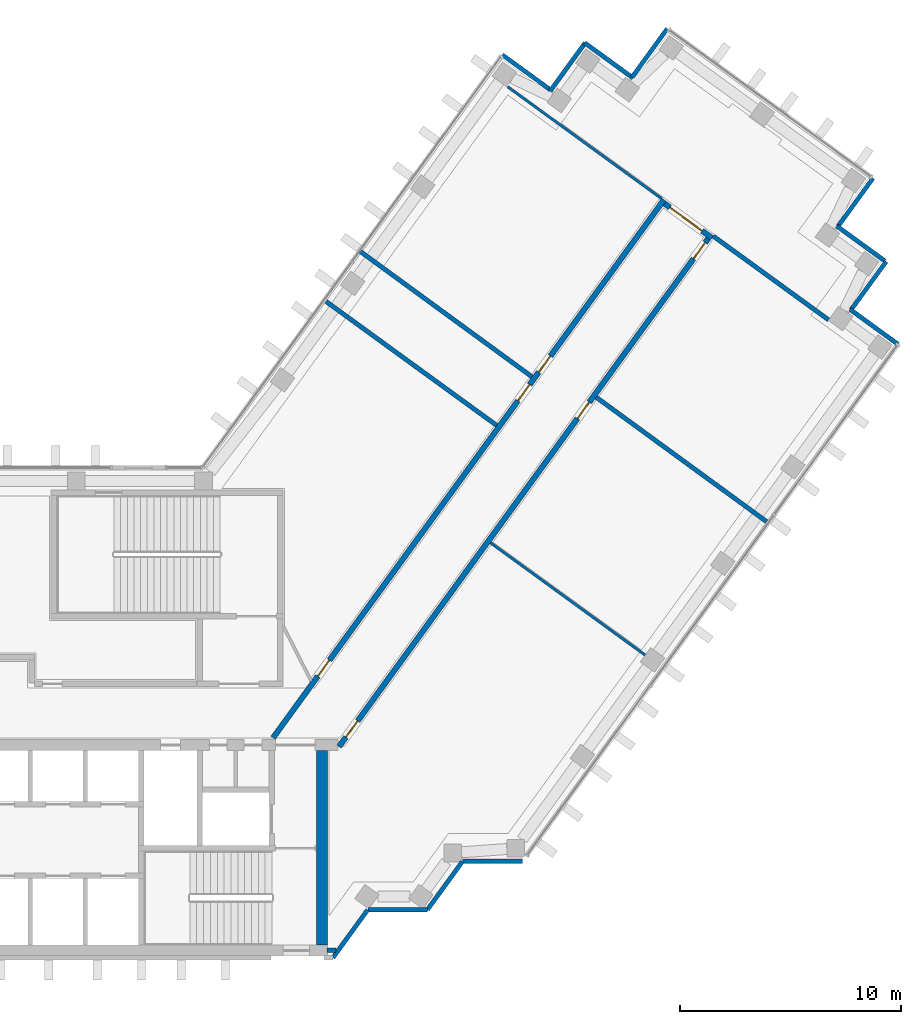
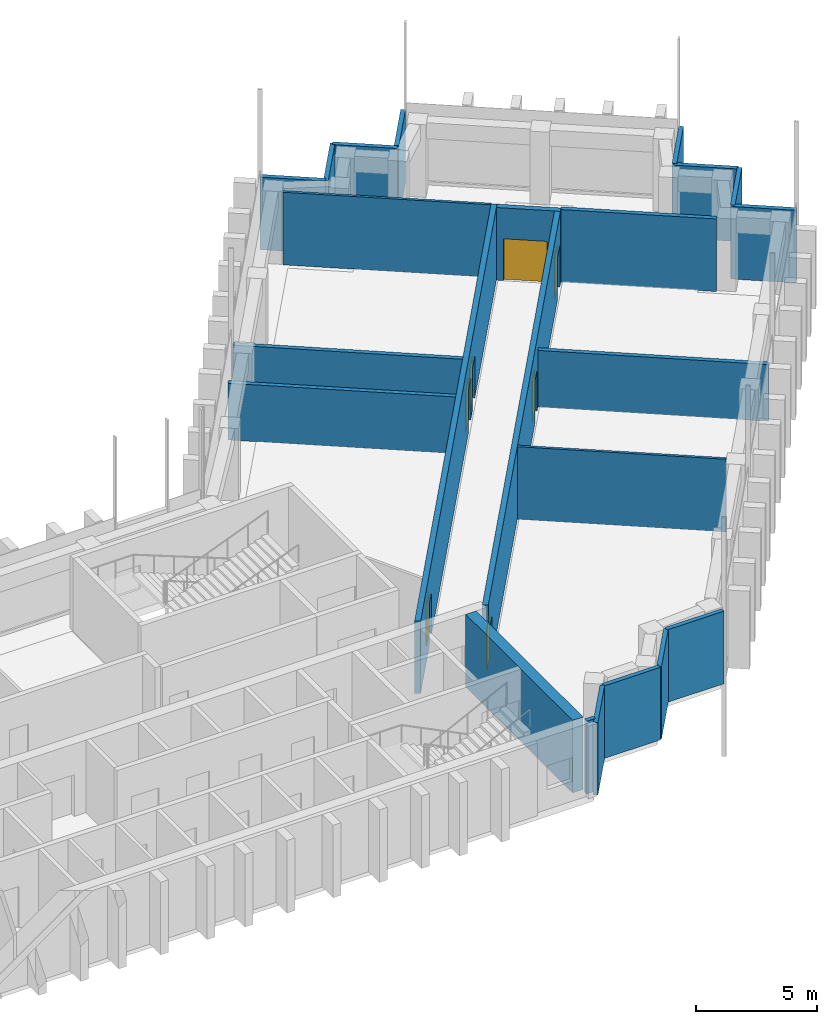
# One storey, part 10 of 13: 23 walls, 7 doors, 7 openings.
"""IFC4 building model written with IfcOpenShell, lengths in metres."""

from ifc_helpers import new_model, si_unit, direction, frame, frame_2d, origin, place, context, subcontext, project, spatial, rectangle, extrude, material, layer, layer_set, type_object, element, fill, save


model = new_model("IFC4")

# Units and contexts
model_context = context("Model", 3, precision=1e-05, world=origin(), true_north=direction((0.0, 1.0)))
body_context = subcontext(model_context, "Body", "Model", "MODEL_VIEW")
ifc_project = project(units=[si_unit("LENGTHUNIT", "METRE"), si_unit("AREAUNIT", "SQUARE_METRE"), si_unit("VOLUMEUNIT", "CUBIC_METRE"), si_unit("PLANEANGLEUNIT", "RADIAN"), si_unit("MASSUNIT", "GRAM", prefix="KILO")], contexts=[model_context])

# Site, building, storey
site_placement = place(None, origin())
site = spatial("IfcSite", under=ifc_project, at=site_placement, CompositionType="ELEMENT")
building_placement = place(site_placement, origin())
building = spatial("IfcBuilding", under=site, at=building_placement, Name="Quipu Civic Tower", CompositionType="ELEMENT")
storey_placement = place(building_placement, frame((0.0, 0.0, 148.0)))
storey = spatial("IfcBuildingStorey", under=building, at=storey_placement, Name="L34", CompositionType="ELEMENT", Elevation=148.0)

# Walls
ifc_material_1 = material(Name="Fired clay blockwork", Category="masonry")
ifc_layer_1 = layer(ifc_material_1, 0.199951171875)
ifc_layer_set_1 = layer_set([ifc_layer_1], Name="Fired clay blockwork")
wall_type_1 = type_object("IfcWallType", Name="Blockwork wall 200", PredefinedType="SOLIDWALL", material=ifc_layer_set_1)
wall_1_placement = place(storey_placement, frame((27.664306640625, 13.015869140625, 0.0), z_axis=(0.0, 0.0, 1.0), x_axis=(-0.80900684162, 0.587799226107, 0.0)))
element("IfcWall", 1, at=wall_1_placement, inside=storey, type_object=wall_type_1, Name="Partition P03", PredefinedType="SOLIDWALL", context=body_context, shape_type="SweptSolid", body=[
    extrude(rectangle(XDim=9.550048828125, YDim=0.199951171875, at=frame_2d((4.77490234375, 0.0))), origin(), (0.0, 0.0, 1.0), 2.85009765625),
])
wall_2_placement = place(storey_placement, frame((21.46875, 20.90771484375, 0.0), z_axis=(0.0, 0.0, 1.0), x_axis=(0.807593618158, -0.589739389824, 0.0)))
element("IfcWall", 2, at=wall_2_placement, inside=storey, type_object=wall_type_1, Name="Partition P04", PredefinedType="SOLIDWALL", context=body_context, shape_type="SweptSolid", body=[
    extrude(rectangle(XDim=9.651123046875, YDim=0.199951171875, at=frame_2d((4.82568359375, 0.0))), origin(), (0.0, 0.0, 1.0), 2.85009765625),
])
wall_3_placement = place(storey_placement, frame((42.68603515625, 17.793701171875, 0.0), z_axis=(0.0, 0.0, 1.0), x_axis=(-0.809017755079, 0.587784205272, 0.0)))
element("IfcWall", 3, at=wall_3_placement, inside=storey, type_object=wall_type_1, Name="Partition P10", PredefinedType="SOLIDWALL", context=body_context, shape_type="SweptSolid", body=[
    extrude(rectangle(XDim=6.444580078125, YDim=0.199951171875, at=frame_2d((3.22216796875, 0.0))), origin(), (0.0, 0.0, 1.0), 3.64990234375),
])
wall_4_placement = place(storey_placement, frame((32.173828125, 14.2880859375, 0.0), z_axis=(0.0, 0.0, 1.0), x_axis=(0.807664588563, -0.589642190131, 0.0)))
element("IfcWall", 4, at=wall_4_placement, inside=storey, type_object=wall_type_1, Name="Partition P11", PredefinedType="SOLIDWALL", context=body_context, shape_type="SweptSolid", body=[
    extrude(rectangle(XDim=9.549560546875, YDim=0.199951171875, at=frame_2d((4.77490234375, 0.0))), origin(), (0.0, 0.0, 1.0), 2.85009765625),
])
ifc_material_2 = material(Name="Concrete C70/85", Category="concrete")
ifc_layer_2 = layer(ifc_material_2, 0.5)
ifc_layer_set_2 = layer_set([ifc_layer_2], Name="Concrete C70/85")
wall_type_2 = type_object("IfcWallType", Name="Core wall 500", PredefinedType="SHEAR", material=ifc_layer_set_2)
wall_5_placement = place(storey_placement, frame((19.75, -10.5, 0.0), z_axis=(0.0, 0.0, 1.0), x_axis=(0.0, 1.0, 0.0)))
element("IfcWall", 5, at=wall_5_placement, inside=storey, type_object=wall_type_2, Name="Core wall", PredefinedType="SHEAR", context=body_context, shape_type="SweptSolid", body=[
    extrude(rectangle(XDim=8.800048828125, YDim=0.5, at=frame_2d((4.39990234375, 0.0))), origin(), (0.0, 0.0, 1.0), 3.64990234375),
])

# Wall, openings, doors
ifc_material_3 = material(Name="Concrete C50/60", Category="concrete")
ifc_layer_3 = layer(ifc_material_3, 0.25)
ifc_layer_set_3 = layer_set([ifc_layer_3], Name="Concrete C50/60")
wall_type_3 = type_object("IfcWallType", Name="Corridor wall 250 concrete", PredefinedType="SOLIDWALL", material=ifc_layer_set_3)
wall_6_placement = place(storey_placement, frame((17.544921875, -1.124755859375, 0.0), z_axis=(0.0, 0.0, 1.0), x_axis=(0.587786330937, 0.809016210693, 0.0)))
wall_6 = element("IfcWall", 6, at=wall_6_placement, inside=storey, type_object=wall_type_3, Name="Corridor wall C01", PredefinedType="SOLIDWALL", context=body_context, shape_type="SweptSolid", body=[
    extrude(rectangle(XDim=30.10302734375, YDim=0.25, at=frame_2d((15.051513671875, 0.0))), origin(), (0.0, 0.0, 1.0), 3.64990234375),
])
opening_1_placement = place(wall_6_placement, frame((3.44140625, 0.0, 0.0)))
opening_1 = element("IfcOpeningElement", 7, at=opening_1_placement, cuts=wall_6, Name="Opening D001", PredefinedType="OPENING", context=body_context, shape_type="SweptSolid", body=[
    extrude(rectangle(XDim=0.89990234375, YDim=2.10009765625, at=frame_2d((0.449951171875, 1.050048828125))), frame((0.0, 0.135009765625, 0.0), z_axis=(0.0, -1.0, 0.0), x_axis=(1.0, 0.0, 0.0)), (0.0, 0.0, 1.0), 0.27001953125),
])
opening_2_placement = place(wall_6_placement, frame((20.457275390625, 0.0, 0.0)))
opening_2 = element("IfcOpeningElement", 8, at=opening_2_placement, cuts=wall_6, Name="Opening D003", PredefinedType="OPENING", context=body_context, shape_type="SweptSolid", body=[
    extrude(rectangle(XDim=0.89990234375, YDim=2.10009765625, at=frame_2d((0.449951171875, 1.050048828125))), frame((0.0, 0.135009765625, 0.0), z_axis=(0.0, -1.0, 0.0), x_axis=(1.0, 0.0, 0.0)), (0.0, 0.0, 1.0), 0.27001953125),
])
opening_3_placement = place(wall_6_placement, frame((18.85791015625, 0.0, 0.0)))
opening_3 = element("IfcOpeningElement", 9, at=opening_3_placement, cuts=wall_6, Name="Opening D002", PredefinedType="OPENING", context=body_context, shape_type="SweptSolid", body=[
    extrude(rectangle(XDim=0.89990234375, YDim=2.10009765625, at=frame_2d((0.449951171875, 1.050048828125))), frame((0.0, 0.135009765625, 0.0), z_axis=(0.0, -1.0, 0.0), x_axis=(1.0, 0.0, 0.0)), (0.0, 0.0, 1.0), 0.27001953125),
])
ifc_material_4 = material(Name="Fire rated timber door set with metal frame", Category="wood")
door_type_1 = type_object("IfcDoorType", Name="Single door 900 x 2100 FD60", OperationType="NOTDEFINED", PredefinedType="DOOR", material=ifc_material_4)
door_1_placement = place(opening_1_placement, origin())
door_1 = element("IfcDoor", 10, at=door_1_placement, inside=storey, type_object=door_type_1, Name="Door D001", OperationType="SINGLE_SWING_LEFT", OverallHeight=2.10009765625, OverallWidth=0.89990234375, PredefinedType="DOOR", context=body_context, shape_type="SweptSolid", body=[
    extrude(rectangle(XDim=0.89990234375, YDim=2.10009765625, at=frame_2d((0.449951171875, 1.050048828125))), frame((0.0, 0.02490234375, 0.0), z_axis=(0.0, -1.0, 0.0), x_axis=(1.0, 0.0, 0.0)), (0.0, 0.0, 1.0), 0.050048828125),
])
fill(opening_1, door_1)
door_2_placement = place(opening_2_placement, origin())
door_2 = element("IfcDoor", 11, at=door_2_placement, inside=storey, type_object=door_type_1, Name="Door D003", OperationType="SINGLE_SWING_LEFT", OverallHeight=2.10009765625, OverallWidth=0.89990234375, PredefinedType="DOOR", context=body_context, shape_type="SweptSolid", body=[
    extrude(rectangle(XDim=0.89990234375, YDim=2.10009765625, at=frame_2d((0.449951171875, 1.050048828125))), frame((0.0, 0.02490234375, 0.0), z_axis=(0.0, -1.0, 0.0), x_axis=(1.0, 0.0, 0.0)), (0.0, 0.0, 1.0), 0.050048828125),
])
fill(opening_2, door_2)
door_3_placement = place(opening_3_placement, origin())
door_3 = element("IfcDoor", 12, at=door_3_placement, inside=storey, type_object=door_type_1, Name="Door D002", OperationType="SINGLE_SWING_RIGHT", OverallHeight=2.10009765625, OverallWidth=0.89990234375, PredefinedType="DOOR", context=body_context, shape_type="SweptSolid", body=[
    extrude(rectangle(XDim=0.89990234375, YDim=2.10009765625, at=frame_2d((0.449951171875, 1.050048828125))), frame((0.0, 0.02490234375, 0.0), z_axis=(0.0, -1.0, 0.0), x_axis=(1.0, 0.0, 0.0)), (0.0, 0.0, 1.0), 0.050048828125),
])
fill(opening_3, door_3)

# Wall, opening, door
wall_7_placement = place(storey_placement, frame((35.2666015625, 23.054443359375, 0.0), z_axis=(0.0, 0.0, 1.0), x_axis=(0.809038743598, -0.587755315891, 0.0)))
wall_7 = element("IfcWall", 13, at=wall_7_placement, inside=storey, type_object=wall_type_3, Name="Corridor wall C02", PredefinedType="SOLIDWALL", context=body_context, shape_type="SweptSolid", body=[
    extrude(rectangle(XDim=2.650146484375, YDim=0.25, at=frame_2d((1.3251953125, 0.0))), origin(), (0.0, 0.0, 1.0), 3.64990234375),
])
opening_4_placement = place(wall_7_placement, frame((0.300048828125, 0.0, 0.0)))
opening_4 = element("IfcOpeningElement", 14, at=opening_4_placement, cuts=wall_7, Name="Opening D007", PredefinedType="OPENING", context=body_context, shape_type="SweptSolid", body=[
    extrude(rectangle(XDim=1.800048828125, YDim=2.10009765625, at=frame_2d((0.89990234375, 1.050048828125))), frame((0.0, 0.135009765625, 0.0), z_axis=(0.0, -1.0, 0.0), x_axis=(1.0, 0.0, 0.0)), (0.0, 0.0, 1.0), 0.27001953125),
])
ifc_material_5 = material(Name="Fire rated timber door set with metal frame", Category="wood")
door_type_2 = type_object("IfcDoorType", Name="Double door 1800 x 2100 FD60", OperationType="DOUBLE_DOOR_SINGLE_SWING", PredefinedType="DOOR", material=ifc_material_5)
door_4_placement = place(opening_4_placement, origin())
door_4 = element("IfcDoor", 15, at=door_4_placement, inside=storey, type_object=door_type_2, Name="Door D007", OperationType="DOUBLE_DOOR_SINGLE_SWING", OverallHeight=2.10009765625, OverallWidth=1.800048828125, PredefinedType="DOOR", context=body_context, shape_type="SweptSolid", body=[
    extrude(rectangle(XDim=1.800048828125, YDim=2.10009765625, at=frame_2d((0.89990234375, 1.050048828125))), frame((0.0, 0.02490234375, 0.0), z_axis=(0.0, -1.0, 0.0), x_axis=(1.0, 0.0, 0.0)), (0.0, 0.0, 1.0), 0.050048828125),
])
fill(opening_4, door_4)

# Wall, openings, doors
wall_8_placement = place(storey_placement, frame((37.236083984375, 21.46923828125, 0.0), z_axis=(0.0, 0.0, 1.0), x_axis=(-0.58778344073, -0.809018310549, 0.0)))
wall_8 = element("IfcWall", 16, at=wall_8_placement, inside=storey, type_object=wall_type_3, Name="Corridor wall C03", PredefinedType="SOLIDWALL", context=body_context, shape_type="SweptSolid", body=[
    extrude(rectangle(XDim=28.42041015625, YDim=0.25, at=frame_2d((14.210205078125, 0.0))), origin(), (0.0, 0.0, 1.0), 3.64990234375),
])
opening_5_placement = place(wall_8_placement, frame((26.987548828125, 0.0, 0.0)))
opening_5 = element("IfcOpeningElement", 17, at=opening_5_placement, cuts=wall_8, Name="Opening D004", PredefinedType="OPENING", context=body_context, shape_type="SweptSolid", body=[
    extrude(rectangle(XDim=0.89990234375, YDim=2.10009765625, at=frame_2d((0.449951171875, 1.050048828125))), frame((0.0, 0.135009765625, 0.0), z_axis=(0.0, -1.0, 0.0), x_axis=(1.0, 0.0, 0.0)), (0.0, 0.0, 1.0), 0.27001953125),
])
opening_6_placement = place(wall_8_placement, frame((0.224365234375, 0.0, 0.0)))
opening_6 = element("IfcOpeningElement", 18, at=opening_6_placement, cuts=wall_8, Name="Opening D006", PredefinedType="OPENING", context=body_context, shape_type="SweptSolid", body=[
    extrude(rectangle(XDim=0.89990234375, YDim=2.10009765625, at=frame_2d((0.449951171875, 1.050048828125))), frame((0.0, 0.135009765625, 0.0), z_axis=(0.0, -1.0, 0.0), x_axis=(1.0, 0.0, 0.0)), (0.0, 0.0, 1.0), 0.27001953125),
])
opening_7_placement = place(wall_8_placement, frame((9.15478515625, 0.0, 0.0)))
opening_7 = element("IfcOpeningElement", 19, at=opening_7_placement, cuts=wall_8, Name="Opening D005", PredefinedType="OPENING", context=body_context, shape_type="SweptSolid", body=[
    extrude(rectangle(XDim=0.89990234375, YDim=2.10009765625, at=frame_2d((0.449951171875, 1.050048828125))), frame((0.0, 0.135009765625, 0.0), z_axis=(0.0, -1.0, 0.0), x_axis=(1.0, 0.0, 0.0)), (0.0, 0.0, 1.0), 0.27001953125),
])
door_5_placement = place(opening_5_placement, origin())
door_5 = element("IfcDoor", 20, at=door_5_placement, inside=storey, type_object=door_type_1, Name="Door D004", OperationType="SINGLE_SWING_RIGHT", OverallHeight=2.10009765625, OverallWidth=0.89990234375, PredefinedType="DOOR", context=body_context, shape_type="SweptSolid", body=[
    extrude(rectangle(XDim=0.89990234375, YDim=2.10009765625, at=frame_2d((0.449951171875, 1.050048828125))), frame((0.0, 0.02490234375, 0.0), z_axis=(0.0, -1.0, 0.0), x_axis=(1.0, 0.0, 0.0)), (0.0, 0.0, 1.0), 0.050048828125),
])
fill(opening_5, door_5)
door_6_placement = place(opening_6_placement, origin())
door_6 = element("IfcDoor", 21, at=door_6_placement, inside=storey, type_object=door_type_1, Name="Door D006", OperationType="SINGLE_SWING_LEFT", OverallHeight=2.10009765625, OverallWidth=0.89990234375, PredefinedType="DOOR", context=body_context, shape_type="SweptSolid", body=[
    extrude(rectangle(XDim=0.89990234375, YDim=2.10009765625, at=frame_2d((0.449951171875, 1.050048828125))), frame((0.0, 0.02490234375, 0.0), z_axis=(0.0, -1.0, 0.0), x_axis=(1.0, 0.0, 0.0)), (0.0, 0.0, 1.0), 0.050048828125),
])
fill(opening_6, door_6)
door_7_placement = place(opening_7_placement, origin())
door_7 = element("IfcDoor", 22, at=door_7_placement, inside=storey, type_object=door_type_1, Name="Door D005", OperationType="SINGLE_SWING_LEFT", OverallHeight=2.10009765625, OverallWidth=0.89990234375, PredefinedType="DOOR", context=body_context, shape_type="SweptSolid", body=[
    extrude(rectangle(XDim=0.89990234375, YDim=2.10009765625, at=frame_2d((0.449951171875, 1.050048828125))), frame((0.0, 0.02490234375, 0.0), z_axis=(0.0, -1.0, 0.0), x_axis=(1.0, 0.0, 0.0)), (0.0, 0.0, 1.0), 0.050048828125),
])
fill(opening_7, door_7)

# Walls
ifc_material_6 = material(Name="Gypsum plasterboard on light gauge framing")
ifc_layer_4 = layer(ifc_material_6, 0.1201171875)
ifc_layer_set_4 = layer_set([ifc_layer_4], Name="Gypsum plasterboard on light gauge framing")
wall_type_4 = type_object("IfcWallType", Name="Partition 120 plasterboard", PredefinedType="PARTITIONING", material=ifc_layer_set_4)
wall_9_placement = place(storey_placement, frame((35.1259765625, 23.286376953125, 0.0), z_axis=(0.0, 0.0, 1.0), x_axis=(-0.809030614944, 0.58776650473, 0.0)))
element("IfcWall", 23, at=wall_9_placement, inside=storey, type_object=wall_type_4, Name="Partition P05", PredefinedType="PARTITIONING", context=body_context, shape_type="SweptSolid", body=[
    extrude(rectangle(XDim=8.599853515625, YDim=0.1201171875, at=frame_2d((4.2998046875, 0.0))), origin(), (0.0, 0.0, 1.0), 3.64990234375),
])
wall_10_placement = place(storey_placement, frame((34.383056640625, 2.622314453125, 0.0), z_axis=(0.0, 0.0, 1.0), x_axis=(-0.809060825193, 0.587724919617, 0.0)))
element("IfcWall", 24, at=wall_10_placement, inside=storey, type_object=wall_type_4, Name="Partition P06", PredefinedType="PARTITIONING", context=body_context, shape_type="SweptSolid", body=[
    extrude(rectangle(XDim=8.64453125, YDim=0.1201171875, at=frame_2d((4.322265625, 0.0))), origin(), (0.0, 0.0, 1.0), 3.64990234375),
])
ifc_material_7 = material(Name="Precast concrete C40/50", Category="concrete")
wall_type_5 = type_object("IfcWallType", Name="Precast cladding wall", PredefinedType="SOLIDWALL", material=ifc_material_7)
wall_11_placement = place(storey_placement, frame((20.253173828125, -11.083251953125, 0.0), z_axis=(0.0, 0.0, 1.0), x_axis=(0.587766567315, 0.809030569476, 0.0)))
element("IfcWall", 25, at=wall_11_placement, inside=storey, type_object=wall_type_5, Name="Precast cladding wall L34 P09", PredefinedType="SOLIDWALL", context=body_context, shape_type="SweptSolid", body=[
    extrude(rectangle(XDim=2.687744140625, YDim=0.199951171875, at=frame_2d((1.34375, 0.0))), origin(), (0.0, 0.0, 1.0), 3.64990234375),
])
wall_12_placement = place(storey_placement, frame((21.8427734375, -8.90380859375, 0.0), z_axis=(0.0, 0.0, 1.0), x_axis=(1.0, 0.0, 0.0)))
element("IfcWall", 26, at=wall_12_placement, inside=storey, type_object=wall_type_5, Name="Precast cladding wall L34 P10", PredefinedType="SOLIDWALL", context=body_context, shape_type="SweptSolid", body=[
    extrude(rectangle(XDim=2.699951171875, YDim=0.199951171875, at=frame_2d((1.35009765625, 0.0))), origin(), (0.0, 0.0, 1.0), 3.64990234375),
])
wall_13_placement = place(storey_placement, frame((24.533203125, -8.90869140625, 0.0), z_axis=(0.0, 0.0, 1.0), x_axis=(0.587720002413, 0.809064397168, 0.0)))
element("IfcWall", 27, at=wall_13_placement, inside=storey, type_object=wall_type_5, Name="Precast cladding wall L34 P11", PredefinedType="SOLIDWALL", context=body_context, shape_type="SweptSolid", body=[
    extrude(rectangle(XDim=2.7001953125, YDim=0.199951171875, at=frame_2d((1.35009765625, 0.0))), origin(), (0.0, 0.0, 1.0), 3.64990234375),
])
for number, where, z_axis, x_axis, name in (
    (28, (26.1298828125, -6.71923828125, 0.0), (0.0, 0.0, 1.0), (1.0, 0.0, 0.0), "Precast cladding wall L34 P12"),
    (29, (45.84228515625, 16.6845703125, 0.0), (0.0, 0.0, 1.0), (-0.808958916286, 0.58786518162, 0.0), "Precast cladding wall L34 P14"),
    (30, (43.70947265625, 18.249267578125, 0.0), (0.0, 0.0, 1.0), (0.587762999008, 0.809033161865, 0.0), "Precast cladding wall L34 P15"),
    (31, (45.2451171875, 20.4560546875, 0.0), (0.0, 0.0, 1.0), (-0.809033161865, 0.587762999008, 0.0), "Precast cladding wall L34 P16"),
    (32, (43.112548828125, 22.020263671875, 0.0), (0.0, 0.0, 1.0), (0.587762999008, 0.809033161865, 0.0), "Precast cladding wall L34 P17"),
    (33, (35.3876953125, 30.97021484375, 0.0), (0.0, 0.0, 1.0), (-0.587762999008, -0.809033161865, 0.0), "Precast cladding wall L34 P19"),
    (34, (33.837890625, 28.743896484375, 0.0), (0.0, 0.0, 1.0), (-0.809033161865, 0.587762999008, 0.0), "Precast cladding wall L34 P20"),
    (35, (31.67041015625, 30.33349609375, 0.0), (0.0, 0.0, 1.0), (-0.587762999008, -0.809033161865, 0.0), "Precast cladding wall L34 P21"),
    (36, (30.105712890625, 28.2001953125, 0.0), (0.0, 0.0, 1.0), (-0.809033161865, 0.587762999008, 0.0), "Precast cladding wall L34 P22"),
):
    element("IfcWall", number, at=place(storey_placement, frame(where, z_axis=z_axis, x_axis=x_axis)), inside=storey, type_object=wall_type_5, Name=name, PredefinedType="SOLIDWALL", context=body_context, shape_type="SweptSolid", body=[
        extrude(rectangle(XDim=2.699951171875, YDim=0.199951171875, at=frame_2d((1.35009765625, 0.0))), origin(), (0.0, 0.0, 1.0), 3.64990234375),
    ])
wall_14_placement = place(storey_placement, frame((19.97998046875, -10.75, 0.0), z_axis=(0.0, 0.0, 1.0), x_axis=(1.0, 0.0, 0.0)))
element("IfcWall", 37, at=wall_14_placement, inside=storey, type_object=wall_type_5, Name="Precast cladding return L34 E", PredefinedType="SOLIDWALL", context=body_context, shape_type="SweptSolid", body=[
    extrude(rectangle(XDim=0.41650390625, YDim=0.199951171875, at=frame_2d((0.208251953125, 0.0))), origin(), (0.0, 0.0, 1.0), 3.64990234375),
])

save(model, "model.ifc")
